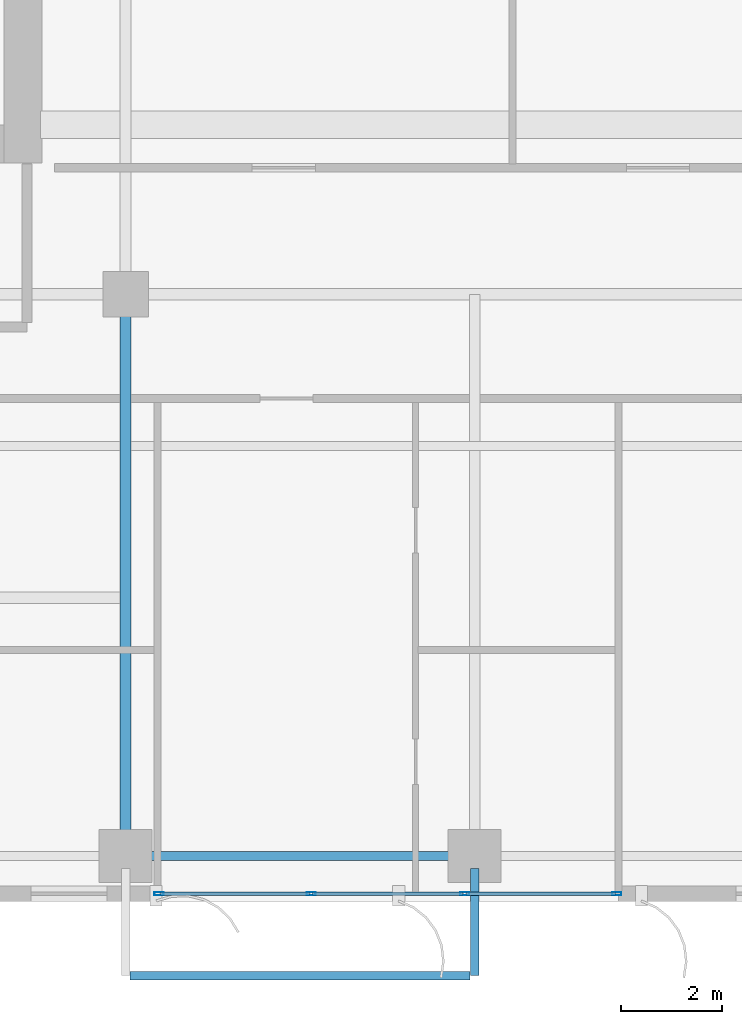
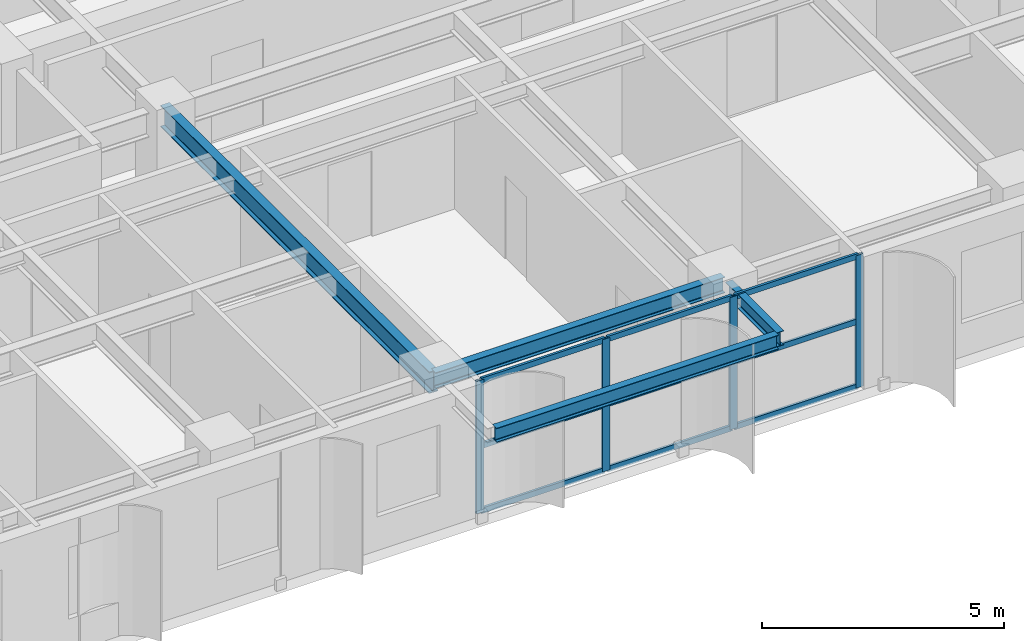
# One storey, part 2 of 25: 13 members, 4 beams, 1 element without a shape of its own.
"""IFC4 building model written with IfcOpenShell, lengths in metres."""

import ifcopenshell
import ifcopenshell.guid

model = None  # the IFC model being written
_history = None  # IfcOwnerHistory: only IFC2X3 demands one
_inside = {}  # id of a spatial element -> (the spatial element, [elements in it])
_under = {}  # id of a project, library or spatial element -> (it, [spatial elements below it])
_declared = {}  # id of a project -> (the project, [libraries it declares])
_typed = {}  # id of a type object -> (the type object, [elements of that type])
_made_of = {}  # id of a material, layer set ... -> (it, [elements and type objects made of it])


def new_model(schema):
    """Start an empty IFC model of exactly this schema.

    Asked for "IFC4X3", IfcOpenShell would pick the latest addendum, in which some entities
    have other attributes; the version numbers below select the first issue.
    IFC2X3 requires an IfcOwnerHistory on every rooted entity: one is made here for all.
    """
    global model, _history
    if schema == "IFC4X3":
        model = ifcopenshell.file(schema_version=(4, 3, 0, 0))
    else:
        model = ifcopenshell.file(schema=schema)
    _inside.clear()
    _under.clear()
    _declared.clear()
    _typed.clear()
    _made_of.clear()
    _history = None
    if model.schema == "IFC2X3":
        org = make("IfcOrganization", Name="unknown")
        user = make(
            "IfcPersonAndOrganization",
            ThePerson=make("IfcPerson", FamilyName="unknown"),
            TheOrganization=org,
        )
        app = make(
            "IfcApplication",
            ApplicationDeveloper=org,
            Version="unknown",
            ApplicationFullName="unknown",
            ApplicationIdentifier="unknown",
        )
        _history = make(
            "IfcOwnerHistory",
            OwningUser=user,
            OwningApplication=app,
            ChangeAction="ADDED",
            CreationDate=0,
        )
    return model


def make(cls, **values):
    """One entity of the class cls with the attributes given. An attribute that is None is left unset."""
    return model.create_entity(
        cls, **{name: value for name, value in values.items() if value is not None}
    )


def rooted(cls, **values):
    """An entity with a GlobalId (a new one), such as an element, a storey or a relation."""
    return make(cls, GlobalId=ifcopenshell.guid.new(), OwnerHistory=_history, **values)


def si_unit(unit_type, name, prefix=None):
    """IfcSIUnit, for example si_unit("LENGTHUNIT", "METRE", prefix="MILLI")."""
    return make("IfcSIUnit", UnitType=unit_type, Prefix=prefix, Name=name)


def assignment(units):
    """IfcUnitAssignment: the units of a project."""
    return None if units is None else make("IfcUnitAssignment", Units=units)


def point(xyz):
    """IfcCartesianPoint."""
    return None if xyz is None else make("IfcCartesianPoint", Coordinates=xyz)


def direction(xyz):
    """IfcDirection."""
    return None if xyz is None else make("IfcDirection", DirectionRatios=xyz)


def frame(location, z_axis=None, x_axis=None):
    """IfcAxis2Placement3D, a coordinate frame: its origin and axes. An axis left out is left unset."""
    return make(
        "IfcAxis2Placement3D",
        Location=point(location),
        Axis=direction(z_axis),
        RefDirection=direction(x_axis),
    )


def frame_2d(location, x_axis=None):
    """IfcAxis2Placement2D, a coordinate frame in the plane: its origin and x axis."""
    return make(
        "IfcAxis2Placement2D", Location=point(location), RefDirection=direction(x_axis)
    )


def origin():
    """The frame at (0, 0, 0) with its axes left unset."""
    return frame((0.0, 0.0, 0.0))


def origin_2d():
    """The frame at (0, 0) in the plane with its x axis left unset."""
    return frame_2d((0.0, 0.0))


def place(relative_to, where):
    """IfcLocalPlacement: puts the frame where relative to a parent placement (None: the world)."""
    return make(
        "IfcLocalPlacement", PlacementRelTo=relative_to, RelativePlacement=where
    )


def context(
    kind, dimensions, precision=None, world=None, true_north=None, identifier=None
):
    """IfcGeometricRepresentationContext, for example the 3D "Model" context."""
    return make(
        "IfcGeometricRepresentationContext",
        ContextIdentifier=identifier,
        ContextType=kind,
        CoordinateSpaceDimension=dimensions,
        Precision=precision,
        WorldCoordinateSystem=world,
        TrueNorth=true_north,
    )


def subcontext(parent, identifier, kind, view, scale=None):
    """IfcGeometricRepresentationSubContext, for example "Body" below "Model"."""
    return make(
        "IfcGeometricRepresentationSubContext",
        ContextIdentifier=identifier,
        ContextType=kind,
        ParentContext=parent,
        TargetScale=scale,
        TargetView=view,
    )


def project(units=None, contexts=None):
    """IfcProject with its units and contexts."""
    return rooted(
        "IfcProject",
        Name="project",
        RepresentationContexts=contexts,
        UnitsInContext=assignment(units),
    )


def spatial(cls, under=None, at=None, **own):
    """A site, building, storey or space (cls), placed at a placement, below another one or the project."""
    s = rooted(cls, ObjectPlacement=at, **own)
    if under is not None:
        _under.setdefault(under.id(), (under, []))[1].append(s)
    return s


def profile(cls, at=None, kind="AREA", **sizes):
    """A parametric profile (cls). Its sizes go by their IFC names, for example OverallWidth=200.0."""
    return make(cls, ProfileType=kind, Position=at, **sizes)


def hollow_rectangle(**sizes):
    """IfcRectangleHollowProfileDef."""
    return profile("IfcRectangleHollowProfileDef", **sizes)


def i_section(**sizes):
    """IfcIShapeProfileDef."""
    return profile("IfcIShapeProfileDef", **sizes)


def extrude(swept, where, along, depth):
    """IfcExtrudedAreaSolid: the profile swept, set in the frame where, extruded along a direction by depth."""
    return make(
        "IfcExtrudedAreaSolid",
        SweptArea=swept,
        Position=where,
        ExtrudedDirection=direction(along),
        Depth=depth,
    )


def shape(context_of_items, identifier, shape_type, items):
    """IfcShapeRepresentation: the items that make up one representation, for example the "Body"."""
    return make(
        "IfcShapeRepresentation",
        ContextOfItems=context_of_items,
        RepresentationIdentifier=identifier,
        RepresentationType=shape_type,
        Items=items,
    )


def source(mapping_origin, context_of_items, identifier, shape_type, items):
    """IfcRepresentationMap: a shape defined once, which mapped items show again and again."""
    return make(
        "IfcRepresentationMap",
        MappingOrigin=mapping_origin,
        MappedRepresentation=shape(context_of_items, identifier, shape_type, items),
    )


def transform(
    local_origin,
    x_axis=None,
    y_axis=None,
    z_axis=None,
    scale=None,
    scale2=None,
    scale3=None,
    uniform=True,
):
    """IfcCartesianTransformationOperator3D, or its non-uniform kind. x_axis, y_axis, z_axis: its Axis1, 2, 3."""
    if uniform:
        return make(
            "IfcCartesianTransformationOperator3D",
            Axis1=direction(x_axis),
            Axis2=direction(y_axis),
            LocalOrigin=point(local_origin),
            Scale=scale,
            Axis3=direction(z_axis),
        )
    return make(
        "IfcCartesianTransformationOperator3DnonUniform",
        Axis1=direction(x_axis),
        Axis2=direction(y_axis),
        LocalOrigin=point(local_origin),
        Scale=scale,
        Axis3=direction(z_axis),
        Scale2=scale2,
        Scale3=scale3,
    )


def mapped(mapping_source, mapping_target):
    """IfcMappedItem: shows the shape of a source again, moved by a transform."""
    return make(
        "IfcMappedItem", MappingSource=mapping_source, MappingTarget=mapping_target
    )


def material(Name=None, Category=None):
    """IfcMaterial."""
    return make("IfcMaterial", Name=Name, Category=Category)


def layer(
    of_material, thickness, ventilated=None, Name=None, Category=None, Priority=None
):
    """IfcMaterialLayer: one layer of a wall or slab, of a material (None: an air gap)."""
    return make(
        "IfcMaterialLayer",
        Material=of_material,
        LayerThickness=thickness,
        IsVentilated=ventilated,
        Name=Name,
        Category=Category,
        Priority=Priority,
    )


def layer_set(layers, Name=None):
    """IfcMaterialLayerSet."""
    return make("IfcMaterialLayerSet", MaterialLayers=layers, LayerSetName=Name)


def material_profile(
    of_material, cross_section, Name=None, Category=None, Priority=None
):
    """IfcMaterialProfile: a cross section and its material."""
    return make(
        "IfcMaterialProfile",
        Name=Name,
        Material=of_material,
        Profile=cross_section,
        Priority=Priority,
        Category=Category,
    )


def profile_set(profiles, Name=None, composite=None):
    """IfcMaterialProfileSet."""
    return make(
        "IfcMaterialProfileSet",
        Name=Name,
        MaterialProfiles=profiles,
        CompositeProfile=composite,
    )


def made_of(thing, what):
    """Note that an element or type object is made of a material, layer set ...; save() writes the relation."""
    if what is not None:
        _made_of.setdefault(what.id(), (what, []))[1].append(thing)
    return thing


def type_object(cls, material=None, **own):
    """A type object (cls), such as IfcWallType, which elements share."""
    return made_of(rooted(cls, **own), material)


def element(
    cls,
    number,
    at=None,
    inside=None,
    cuts=None,
    type_object=None,
    material=None,
    context=None,
    identifier="Body",
    shape_type=None,
    held_by="IfcProductDefinitionShape",
    body=None,
    shapes=None,
    **own,
):
    """One element of the class cls, such as IfcWall. Its Tag is "e" and its number.

    at: its placement. inside: the storey or other place that contains it. cuts: it is an
    opening in that element (IfcRelVoidsElement). A single representation is given by context,
    identifier, shape_type and body (its items); several are given by shapes. held_by: the class
    of the entity that holds the representations. save() writes the other relations.
    """
    e = rooted(cls, Tag="e%d" % number, ObjectPlacement=at, **own)
    if body is not None:
        shapes = [shape(context, identifier, shape_type, body)]
    if shapes is not None:
        e.Representation = make(held_by, Representations=shapes)
    if inside is not None:
        _inside.setdefault(inside.id(), (inside, []))[1].append(e)
    if cuts is not None:
        rooted(
            "IfcRelVoidsElement", RelatingBuildingElement=cuts, RelatedOpeningElement=e
        )
    if type_object is not None:
        _typed.setdefault(type_object.id(), (type_object, []))[1].append(e)
    return made_of(e, material)


def aggregate(whole, parts):
    """IfcRelAggregates: a whole, such as a stair, and the parts it consists of."""
    return rooted("IfcRelAggregates", RelatingObject=whole, RelatedObjects=parts)


def save(model, path):
    """Write the relations noted so far, then the file.

    IfcRelAggregates (storeys below a building ...), IfcRelContainedInSpatialStructure (elements
    in a storey), IfcRelDefinesByType, IfcRelAssociatesMaterial and IfcRelDeclares: one each for
    every whole, place, type object, material and project.
    """
    for whole, parts in _under.values():
        aggregate(whole, parts)
    for where, things in _inside.values():
        rooted(
            "IfcRelContainedInSpatialStructure",
            RelatedElements=things,
            RelatingStructure=where,
        )
    for kind, things in _typed.values():
        rooted("IfcRelDefinesByType", RelatedObjects=things, RelatingType=kind)
    for what, things in _made_of.values():
        rooted("IfcRelAssociatesMaterial", RelatedObjects=things, RelatingMaterial=what)
    for by, libraries in _declared.values():
        rooted("IfcRelDeclares", RelatingContext=by, RelatedDefinitions=libraries)
    model.write(path)


model = new_model("IFC4")

# Units and contexts
model_context = context("Model", 3, precision=1e-05, world=origin(), true_north=direction((0.0, 1.0)))
body_context = subcontext(model_context, "Body", "Model", "MODEL_VIEW")
ifc_project = project(units=[si_unit("LENGTHUNIT", "METRE"), si_unit("AREAUNIT", "SQUARE_METRE"), si_unit("VOLUMEUNIT", "CUBIC_METRE"), si_unit("PLANEANGLEUNIT", "RADIAN"), si_unit("MASSUNIT", "GRAM", prefix="KILO")], contexts=[model_context])

# Site, building, storey
site_placement = place(None, origin())
site = spatial("IfcSite", under=ifc_project, at=site_placement, CompositionType="ELEMENT")
building_placement = place(site_placement, origin())
building = spatial("IfcBuilding", under=site, at=building_placement, Name="Khoralis Quay Care Tower", CompositionType="ELEMENT")
storey_placement = place(building_placement, frame((0.0, 0.0, 134.10009765625)))
storey = spatial("IfcBuildingStorey", under=building, at=storey_placement, Name="L35", CompositionType="ELEMENT", Elevation=134.10009765625)

# Beams
ifc_material_1 = material(Name="Steel S355", Category="steel")
ifc_material_profile_1 = material_profile(ifc_material_1, i_section(OverallWidth=0.179931640625, OverallDepth=0.39990234375, WebThickness=0.008544921875, FlangeThickness=0.013427734375, FilletRadius=0.02099609375, at=origin_2d()), Name="Steel S355")
ifc_profile_set_1 = profile_set([ifc_material_profile_1], Name="Steel S355")
beam_type_1 = type_object("IfcBeamType", Name="BM-IPE400", PredefinedType="SPANDREL", material=ifc_profile_set_1)
shared_shape_1 = source(origin(), body_context, "Body", "SweptSolid", [
    extrude(i_section(OverallWidth=0.179931640625, OverallDepth=0.39990234375, WebThickness=0.008544921875, FlangeThickness=0.013427734375, FilletRadius=0.02099609375, at=origin_2d()), origin(), (0.0, 0.0, 1.0), 6.89990234375),
])
beam_1_placement = place(storey_placement, frame((17.10009765625, 0.89990234375, 3.139892578125), z_axis=(1.0, 0.0, 0.0), x_axis=(0.0, 1.0, 0.0)))
element("IfcBeam", 1, at=beam_1_placement, inside=storey, type_object=beam_type_1, Name="BM-TSP-L35-03", PredefinedType="SPANDREL", context=body_context, shape_type="MappedRepresentation", body=[
    mapped(shared_shape_1, transform((0.0, 0.0, 0.0), scale=1.0)),
])
ifc_material_profile_2 = material_profile(ifc_material_1, i_section(OverallWidth=0.2119140625, OverallDepth=0.5439453125, WebThickness=0.01318359375, FlangeThickness=0.021240234375, FilletRadius=0.01611328125, at=origin_2d()), Name="Steel S355")
ifc_profile_set_2 = profile_set([ifc_material_profile_2], Name="Steel S355")
beam_type_2 = type_object("IfcBeamType", Name="BM-W530X123", PredefinedType="BEAM", material=ifc_profile_set_2)
shared_shape_2 = source(origin(), body_context, "Body", "SweptSolid", [
    extrude(i_section(OverallWidth=0.2119140625, OverallDepth=0.5439453125, WebThickness=0.01318359375, FlangeThickness=0.021240234375, FilletRadius=0.01611328125, at=origin_2d()), origin(), (0.0, 0.0, 1.0), 11.10009765625),
])
beam_2_placement = place(storey_placement, frame((17.10009765625, 0.89990234375, 3.06787109375), z_axis=(0.0, 1.0, 0.0), x_axis=(-1.0, 0.0, 0.0)))
element("IfcBeam", 2, at=beam_2_placement, inside=storey, type_object=beam_type_2, Name="BM-TGYS-L35-171", PredefinedType="BEAM", context=body_context, shape_type="MappedRepresentation", body=[
    mapped(shared_shape_2, transform((0.0, 0.0, 0.0), scale=1.0)),
])
ifc_material_profile_3 = material_profile(ifc_material_1, i_section(OverallWidth=0.169921875, OverallDepth=0.360107421875, WebThickness=0.008056640625, FlangeThickness=0.0126953125, FilletRadius=0.01806640625, at=origin_2d()), Name="Steel S355")
ifc_profile_set_3 = profile_set([ifc_material_profile_3], Name="Steel S355")
beam_type_3 = type_object("IfcBeamType", Name="BM-IPE360", PredefinedType="SPANDREL", material=ifc_profile_set_3)
shared_shape_3 = source(origin(), body_context, "Body", "SweptSolid", [
    extrude(i_section(OverallWidth=0.169921875, OverallDepth=0.360107421875, WebThickness=0.008056640625, FlangeThickness=0.0126953125, FilletRadius=0.01806640625, at=origin_2d()), origin(), (0.0, 0.0, 1.0), 2.119873046875),
])
beam_3_placement = place(storey_placement, frame((24.0, 0.64990234375, 3.163818359375), z_axis=(0.0, -1.0, 0.0), x_axis=(1.0, 0.0, 0.0)))
element("IfcBeam", 3, at=beam_3_placement, inside=storey, type_object=beam_type_3, Name="L36 Balcony Cantilever Outrigger Beam 2", PredefinedType="SPANDREL", context=body_context, shape_type="MappedRepresentation", body=[
    mapped(shared_shape_3, transform((0.0, 0.0, 0.0), scale=1.0)),
])
shared_shape_4 = source(origin(), body_context, "Body", "SweptSolid", [
    extrude(i_section(OverallWidth=0.169921875, OverallDepth=0.360107421875, WebThickness=0.008056640625, FlangeThickness=0.0126953125, FilletRadius=0.01806640625, at=origin_2d()), origin(), (0.0, 0.0, 1.0), 6.72412109375),
])
beam_4_placement = place(storey_placement, frame((17.18798828125, -1.469970703125, 3.163818359375), z_axis=(1.0, 0.0, 0.0), x_axis=(0.0, 1.0, 0.0)))
element("IfcBeam", 4, at=beam_4_placement, inside=storey, type_object=beam_type_3, Name="L36 Balcony Edge Spandrel Beam P1E0", PredefinedType="SPANDREL", context=body_context, shape_type="MappedRepresentation", body=[
    mapped(shared_shape_4, transform((0.0, 0.0, 0.0), scale=1.0)),
])

# Curtain wall, members
ifc_material_2 = material(Name="Pale anodised aluminium", Category="aluminium")
ifc_layer = layer(ifc_material_2, 0.169921875)
ifc_layer_set = layer_set([ifc_layer], Name="Pale anodised aluminium")
curtain_wall_type = type_object("IfcCurtainWallType", Name="CW-SYS-Z2", PredefinedType="NOTDEFINED", material=ifc_layer_set)
curtain_wall_placement = place(storey_placement, origin())
curtain_wall = element("IfcCurtainWall", 5, at=curtain_wall_placement, inside=storey, type_object=curtain_wall_type, Name="L35 Unitised Curtain Wall CW-L35-P1-E0", PredefinedType="NOTDEFINED")
ifc_material_profile_4 = material_profile(ifc_material_2, hollow_rectangle(XDim=0.06494140625, YDim=0.179931640625, WallThickness=0.00390625, at=origin_2d()), Name="Pale anodised aluminium")
ifc_profile_set_4 = profile_set([ifc_material_profile_4], Name="Pale anodised aluminium")
member_type_1 = type_object("IfcMemberType", Name="CW-MUL-180", PredefinedType="MULLION", material=ifc_profile_set_4)
shared_shape_5 = source(origin(), body_context, "Body", "SweptSolid", [
    extrude(hollow_rectangle(XDim=0.06494140625, YDim=0.179931640625, WallThickness=0.00390625, at=origin_2d()), origin(), (0.0, 0.0, 1.0), 3.33984375),
])
member_1_placement = place(storey_placement, frame((17.760009765625, 0.14990234375, 0.0), z_axis=(0.0, 0.0, 1.0), x_axis=(0.0, 1.0, 0.0)))
member_1 = element("IfcMember", 6, at=member_1_placement, type_object=member_type_1, Name="CW2 mullion 1", PredefinedType="MULLION", context=body_context, shape_type="MappedRepresentation", body=[
    mapped(shared_shape_5, transform((0.0, 0.0, 0.0), scale=1.0)),
])
member_2_placement = place(storey_placement, frame((20.7666015625, 0.14990234375, 0.0), z_axis=(0.0, 0.0, 1.0), x_axis=(0.0, 1.0, 0.0)))
member_2 = element("IfcMember", 7, at=member_2_placement, type_object=member_type_1, Name="CW2 mullion 2", PredefinedType="MULLION", context=body_context, shape_type="MappedRepresentation", body=[
    mapped(shared_shape_5, transform((0.0, 0.0, 0.0), scale=1.0)),
])
member_3_placement = place(storey_placement, frame((23.80322265625, 0.14990234375, 0.0), z_axis=(0.0, 0.0, 1.0), x_axis=(0.0, 1.0, 0.0)))
member_3 = element("IfcMember", 8, at=member_3_placement, type_object=member_type_1, Name="CW2 mullion 3", PredefinedType="MULLION", context=body_context, shape_type="MappedRepresentation", body=[
    mapped(shared_shape_5, transform((0.0, 0.0, 0.0), scale=1.0)),
])
member_4_placement = place(storey_placement, frame((26.81005859375, 0.14990234375, 0.0), z_axis=(0.0, 0.0, 1.0), x_axis=(0.0, 1.0, 0.0)))
member_4 = element("IfcMember", 9, at=member_4_placement, type_object=member_type_1, Name="CW2 mullion 4", PredefinedType="MULLION", context=body_context, shape_type="MappedRepresentation", body=[
    mapped(shared_shape_5, transform((0.0, 0.0, 0.0), scale=1.0)),
])
ifc_material_profile_5 = material_profile(ifc_material_2, hollow_rectangle(XDim=0.06005859375, YDim=0.139892578125, WallThickness=0.00390625, at=origin_2d()), Name="Pale anodised aluminium")
ifc_profile_set_5 = profile_set([ifc_material_profile_5], Name="Pale anodised aluminium")
member_type_2 = type_object("IfcMemberType", Name="CW-TRN-140", PredefinedType="USERDEFINED", material=ifc_profile_set_5)
shared_shape_6 = source(origin(), body_context, "Body", "SweptSolid", [
    extrude(hollow_rectangle(XDim=0.06005859375, YDim=0.139892578125, WallThickness=0.00390625, at=origin_2d()), origin(), (0.0, 0.0, 1.0), 2.946533203125),
])
member_5_placement = place(storey_placement, frame((17.7900390625, 0.14990234375, 0.02978515625), z_axis=(1.0, 0.0, 0.0), x_axis=(0.0, 1.0, 0.0)))
member_5 = element("IfcMember", 10, at=member_5_placement, type_object=member_type_2, Name="CW2 transom 1.1", ObjectType="TRANSOM", PredefinedType="USERDEFINED", context=body_context, shape_type="MappedRepresentation", body=[
    mapped(shared_shape_6, transform((0.0, 0.0, 0.0), scale=1.0)),
])
member_6_placement = place(storey_placement, frame((17.7900390625, 0.14990234375, 1.669921875), z_axis=(1.0, 0.0, 0.0), x_axis=(0.0, 1.0, 0.0)))
member_6 = element("IfcMember", 11, at=member_6_placement, type_object=member_type_2, Name="CW2 transom 1.2", ObjectType="TRANSOM", PredefinedType="USERDEFINED", context=body_context, shape_type="MappedRepresentation", body=[
    mapped(shared_shape_6, transform((0.0, 0.0, 0.0), scale=1.0)),
])
member_7_placement = place(storey_placement, frame((17.7900390625, 0.14990234375, 3.309814453125), z_axis=(1.0, 0.0, 0.0), x_axis=(0.0, 1.0, 0.0)))
member_7 = element("IfcMember", 12, at=member_7_placement, type_object=member_type_2, Name="CW2 transom 1.3", ObjectType="TRANSOM", PredefinedType="USERDEFINED", context=body_context, shape_type="MappedRepresentation", body=[
    mapped(shared_shape_6, transform((0.0, 0.0, 0.0), scale=1.0)),
])
shared_shape_7 = source(origin(), body_context, "Body", "SweptSolid", [
    extrude(hollow_rectangle(XDim=0.06005859375, YDim=0.139892578125, WallThickness=0.00390625, at=origin_2d()), origin(), (0.0, 0.0, 1.0), 2.976806640625),
])
member_8_placement = place(storey_placement, frame((20.796630859375, 0.14990234375, 0.02978515625), z_axis=(1.0, 0.0, 0.0), x_axis=(0.0, 1.0, 0.0)))
member_8 = element("IfcMember", 13, at=member_8_placement, type_object=member_type_2, Name="CW2 transom 2.1", ObjectType="TRANSOM", PredefinedType="USERDEFINED", context=body_context, shape_type="MappedRepresentation", body=[
    mapped(shared_shape_7, transform((0.0, 0.0, 0.0), scale=1.0)),
])
member_9_placement = place(storey_placement, frame((20.796630859375, 0.14990234375, 1.669921875), z_axis=(1.0, 0.0, 0.0), x_axis=(0.0, 1.0, 0.0)))
member_9 = element("IfcMember", 14, at=member_9_placement, type_object=member_type_2, Name="CW2 transom 2.2", ObjectType="TRANSOM", PredefinedType="USERDEFINED", context=body_context, shape_type="MappedRepresentation", body=[
    mapped(shared_shape_7, transform((0.0, 0.0, 0.0), scale=1.0)),
])
member_10_placement = place(storey_placement, frame((20.796630859375, 0.14990234375, 3.309814453125), z_axis=(1.0, 0.0, 0.0), x_axis=(0.0, 1.0, 0.0)))
member_10 = element("IfcMember", 15, at=member_10_placement, type_object=member_type_2, Name="CW2 transom 2.3", ObjectType="TRANSOM", PredefinedType="USERDEFINED", context=body_context, shape_type="MappedRepresentation", body=[
    mapped(shared_shape_7, transform((0.0, 0.0, 0.0), scale=1.0)),
])
shared_shape_8 = source(origin(), body_context, "Body", "SweptSolid", [
    extrude(hollow_rectangle(XDim=0.06005859375, YDim=0.139892578125, WallThickness=0.00390625, at=origin_2d()), origin(), (0.0, 0.0, 1.0), 2.94677734375),
])
member_11_placement = place(storey_placement, frame((23.833251953125, 0.14990234375, 0.02978515625), z_axis=(1.0, 0.0, 0.0), x_axis=(0.0, 1.0, 0.0)))
member_11 = element("IfcMember", 16, at=member_11_placement, type_object=member_type_2, Name="CW2 transom 3.1", ObjectType="TRANSOM", PredefinedType="USERDEFINED", context=body_context, shape_type="MappedRepresentation", body=[
    mapped(shared_shape_8, transform((0.0, 0.0, 0.0), scale=1.0)),
])
member_12_placement = place(storey_placement, frame((23.833251953125, 0.14990234375, 1.669921875), z_axis=(1.0, 0.0, 0.0), x_axis=(0.0, 1.0, 0.0)))
member_12 = element("IfcMember", 17, at=member_12_placement, type_object=member_type_2, Name="CW2 transom 3.2", ObjectType="TRANSOM", PredefinedType="USERDEFINED", context=body_context, shape_type="MappedRepresentation", body=[
    mapped(shared_shape_8, transform((0.0, 0.0, 0.0), scale=1.0)),
])
member_13_placement = place(storey_placement, frame((23.833251953125, 0.14990234375, 3.309814453125), z_axis=(1.0, 0.0, 0.0), x_axis=(0.0, 1.0, 0.0)))
member_13 = element("IfcMember", 18, at=member_13_placement, type_object=member_type_2, Name="CW2 transom 3.3", ObjectType="TRANSOM", PredefinedType="USERDEFINED", context=body_context, shape_type="MappedRepresentation", body=[
    mapped(shared_shape_8, transform((0.0, 0.0, 0.0), scale=1.0)),
])
aggregate(curtain_wall, [member_1, member_2, member_3, member_4, member_5, member_6, member_7, member_8, member_9, member_10, member_11, member_12, member_13])

save(model, "model.ifc")
